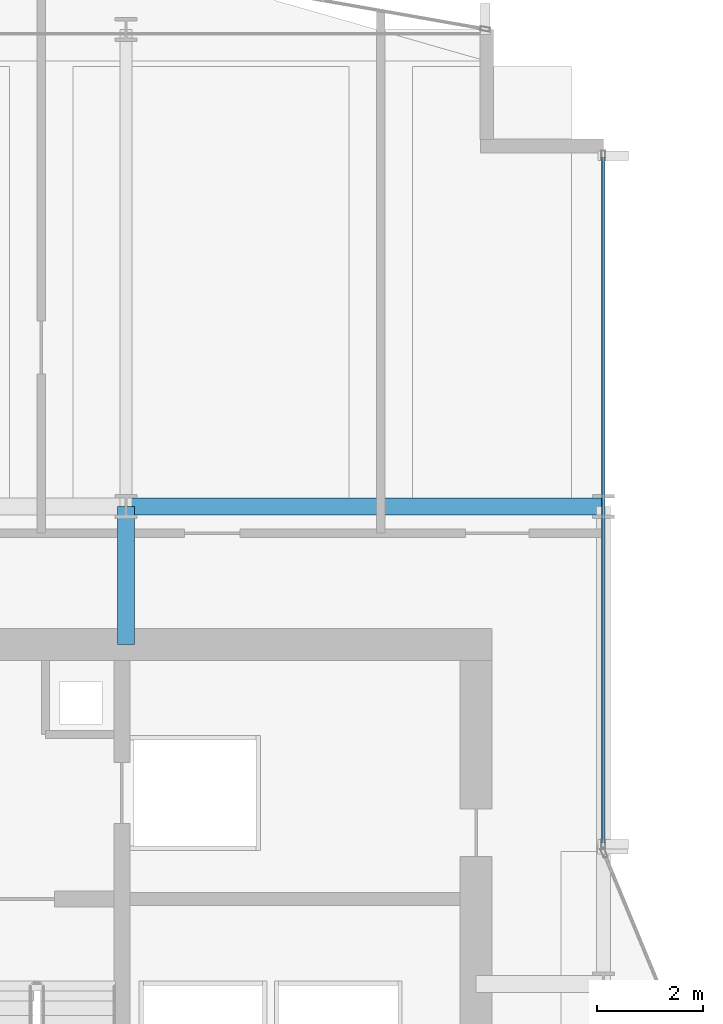
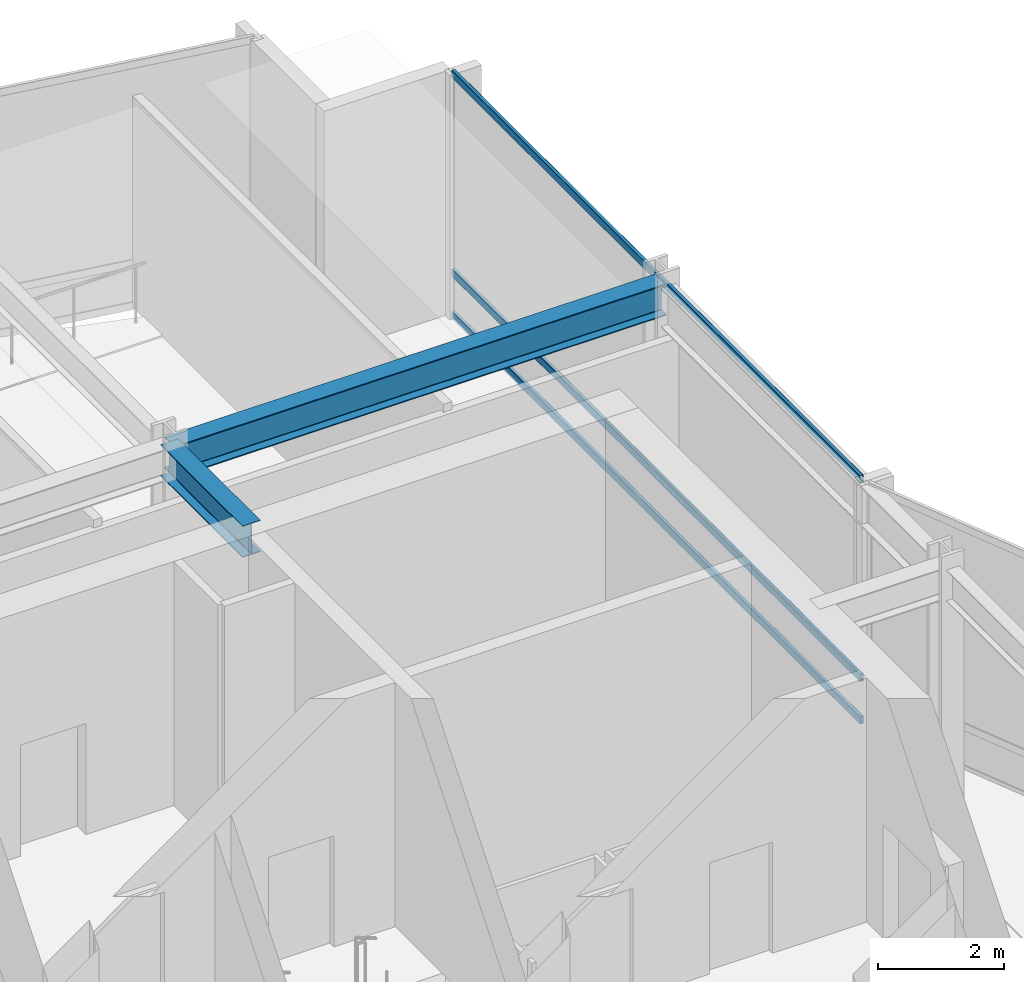
# One storey, part 18 of 33: 3 members, 2 beams, 1 element without a shape of its own.
"""IFC4 building model written with IfcOpenShell, lengths in metres."""

from ifc_helpers import new_model, si_unit, direction, frame, origin, origin_2d, place, context, subcontext, project, spatial, hollow_rectangle, i_section, extrude, material, layer, layer_set, material_profile, profile_set, type_object, element, aggregate, save


model = new_model("IFC4")

# Units and contexts
model_context = context("Model", 3, precision=1e-05, world=origin(), true_north=direction((0.0, 1.0)))
body_context = subcontext(model_context, "Body", "Model", "MODEL_VIEW")
ifc_project = project(units=[si_unit("LENGTHUNIT", "METRE"), si_unit("AREAUNIT", "SQUARE_METRE"), si_unit("VOLUMEUNIT", "CUBIC_METRE"), si_unit("PLANEANGLEUNIT", "RADIAN"), si_unit("MASSUNIT", "GRAM", prefix="KILO")], contexts=[model_context])

# Site, building, storey
site_placement = place(None, origin())
site = spatial("IfcSite", under=ifc_project, at=site_placement, CompositionType="ELEMENT")
building_placement = place(site_placement, origin())
building = spatial("IfcBuilding", under=site, at=building_placement, Name="Solvaryn Broadcast Tower", CompositionType="ELEMENT")
storey_placement = place(building_placement, frame((0.0, 0.0, 105.0)))
storey = spatial("IfcBuildingStorey", under=building, at=storey_placement, Name="L25", CompositionType="ELEMENT", Elevation=105.0)

# Beams
ifc_material_1 = material(Name="Steel ASTM A992 Grade 50", Category="steel")
ifc_material_profile_1 = material_profile(ifc_material_1, i_section(OverallWidth=0.323974609375, OverallDepth=0.611083984375, WebThickness=0.0126953125, FlangeThickness=0.01904296875, FilletRadius=0.014892578125, at=origin_2d()))
ifc_profile_set_1 = profile_set([ifc_material_profile_1], Name="Steel ASTM A992 Grade 50")
beam_type = type_object("IfcBeamType", Name="BM-B1-W24X104", PredefinedType="BEAM", material=ifc_profile_set_1)
beam_1_placement = place(storey_placement, frame((18.0, 45.0, 4.41455078125), z_axis=(1.0, 0.0, 0.0), x_axis=(0.0, 1.0, 0.0)))
element("IfcBeam", 1, at=beam_1_placement, inside=storey, type_object=beam_type, Name="L25 Primary Beam X (18-27 @ Y=45)", PredefinedType="BEAM", context=body_context, shape_type="SweptSolid", body=[
    extrude(i_section(OverallWidth=0.323974609375, OverallDepth=0.611083984375, WebThickness=0.0126953125, FlangeThickness=0.01904296875, FilletRadius=0.014892578125, at=origin_2d()), origin(), (0.0, 0.0, 1.0), 9.0),
])
beam_2_placement = place(storey_placement, frame((18.0, 42.39990234375, 4.41455078125), z_axis=(0.0, 1.0, 0.0), x_axis=(-1.0, 0.0, 0.0)))
element("IfcBeam", 2, at=beam_2_placement, inside=storey, type_object=beam_type, Name="L25 Core Tie Beam CTW3", PredefinedType="BEAM", context=body_context, shape_type="SweptSolid", body=[
    extrude(i_section(OverallWidth=0.323974609375, OverallDepth=0.611083984375, WebThickness=0.0126953125, FlangeThickness=0.01904296875, FilletRadius=0.014892578125, at=origin_2d()), origin(), (0.0, 0.0, 1.0), 2.60009765625),
])

# Curtain wall, members
ifc_material_2 = material(Name="Aluminium and Terracotta Unitised Curtain Wall", Category="masonry")
ifc_layer = layer(ifc_material_2, 0.25)
ifc_layer_set = layer_set([ifc_layer], Name="CW-SYS4-SKYGARDEN")
curtain_wall_type = type_object("IfcCurtainWallType", Name="CW-SYS4-SKYGARDEN", PredefinedType="NOTDEFINED", material=ifc_layer_set)
curtain_wall_placement = place(storey_placement, origin())
curtain_wall = element("IfcCurtainWall", 3, at=curtain_wall_placement, inside=storey, type_object=curtain_wall_type, Name="L25 Curtain Wall IV", PredefinedType="NOTDEFINED")
ifc_material_3 = material(Name="Anodised Aluminium 6063-T6", Category="aluminium")
ifc_material_profile_2 = material_profile(ifc_material_3, hollow_rectangle(XDim=0.06494140625, YDim=0.14990234375, WallThickness=0.00390625, InnerFilletRadius=0.00390625, OuterFilletRadius=0.008056640625, at=origin_2d()))
ifc_profile_set_2 = profile_set([ifc_material_profile_2], Name="Anodised Aluminium 6063-T6")
member_type = type_object("IfcMemberType", Name="CW-TRN-150", PredefinedType="USERDEFINED", material=ifc_profile_set_2)
member_1_placement = place(storey_placement, frame((27.0, 51.590087890625, 0.030029296875), z_axis=(0.0, -1.0, 0.0), x_axis=(1.0, 0.0, 0.0)))
member_1 = element("IfcMember", 4, at=member_1_placement, type_object=member_type, Name="CWS4 transom 1.1", ObjectType="TRANSOM", PredefinedType="USERDEFINED", context=body_context, shape_type="SweptSolid", body=[
    extrude(hollow_rectangle(XDim=0.06494140625, YDim=0.14990234375, WallThickness=0.00390625, InnerFilletRadius=0.00390625, OuterFilletRadius=0.008056640625, at=origin_2d()), origin(), (0.0, 0.0, 1.0), 12.93017578125),
])
member_2_placement = place(storey_placement, frame((27.0, 51.590087890625, 0.85009765625), z_axis=(0.0, -1.0, 0.0), x_axis=(1.0, 0.0, 0.0)))
member_2 = element("IfcMember", 5, at=member_2_placement, type_object=member_type, Name="CWS4 transom 1.2", ObjectType="TRANSOM", PredefinedType="USERDEFINED", context=body_context, shape_type="SweptSolid", body=[
    extrude(hollow_rectangle(XDim=0.06494140625, YDim=0.14990234375, WallThickness=0.00390625, InnerFilletRadius=0.00390625, OuterFilletRadius=0.008056640625, at=origin_2d()), origin(), (0.0, 0.0, 1.0), 12.93017578125),
])
member_3_placement = place(storey_placement, frame((27.0, 51.590087890625, 4.68994140625), z_axis=(0.0, -1.0, 0.0), x_axis=(1.0, 0.0, 0.0)))
member_3 = element("IfcMember", 6, at=member_3_placement, type_object=member_type, Name="CWS4 transom 1.3", ObjectType="TRANSOM", PredefinedType="USERDEFINED", context=body_context, shape_type="SweptSolid", body=[
    extrude(hollow_rectangle(XDim=0.06494140625, YDim=0.14990234375, WallThickness=0.00390625, InnerFilletRadius=0.00390625, OuterFilletRadius=0.008056640625, at=origin_2d()), origin(), (0.0, 0.0, 1.0), 12.93017578125),
])
aggregate(curtain_wall, [member_1, member_2, member_3])

save(model, "model.ifc")
